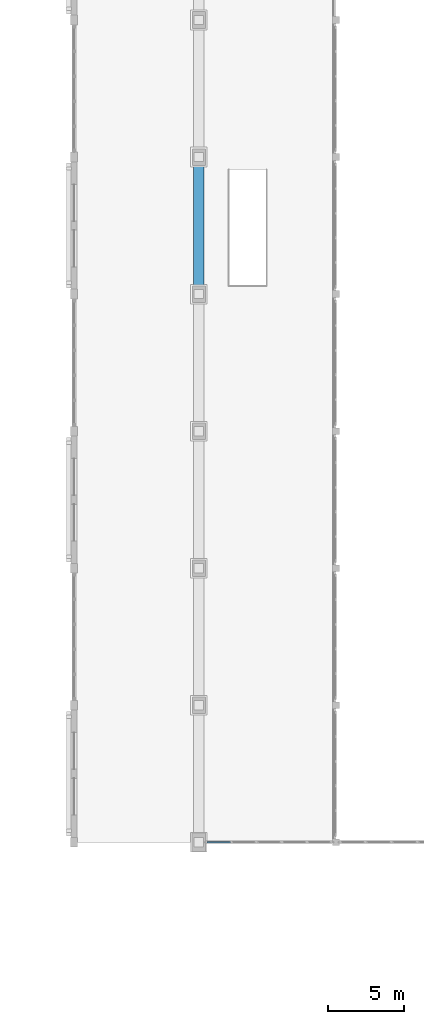
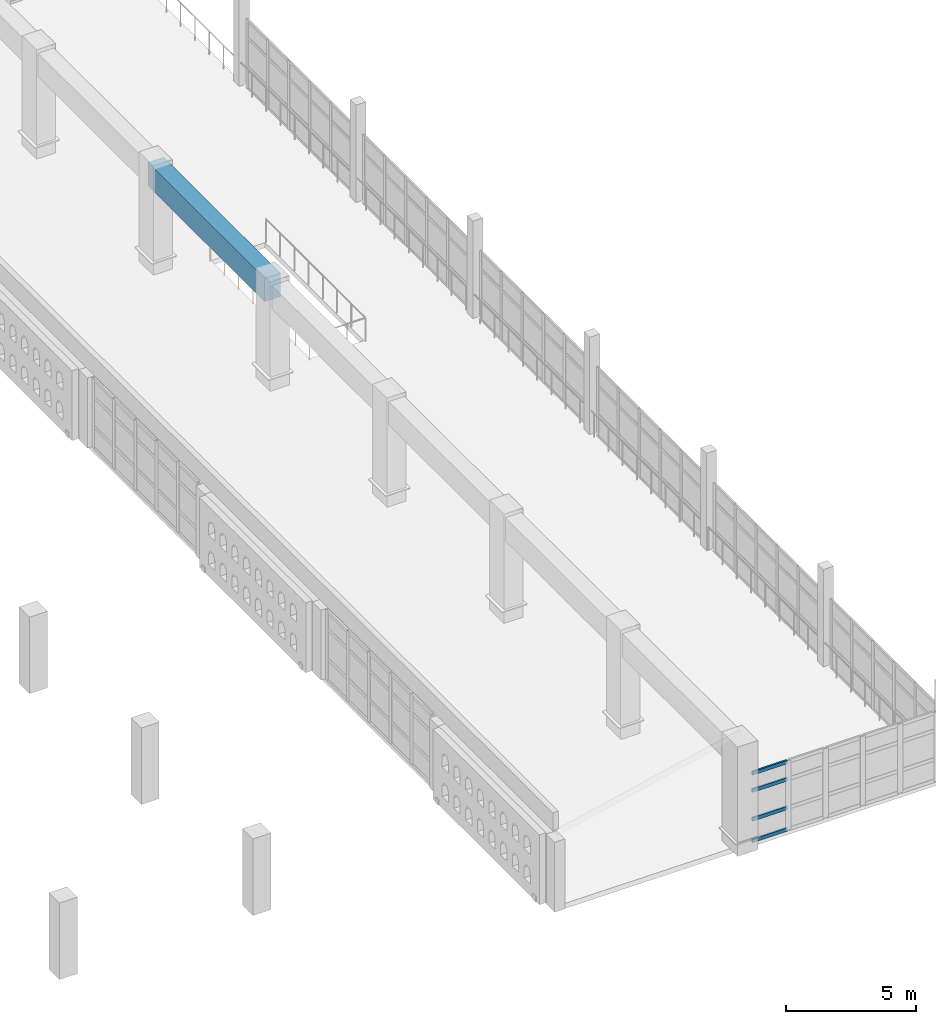
# One storey, part 7 of 80: 4 members, 1 beam, 1 element without a shape of its own.
"""IFC4 building model written with IfcOpenShell, lengths in metres."""

from ifc_helpers import new_model, si_unit, direction, frame, origin, origin_2d, place, context, subcontext, project, spatial, rectangle, hollow_rectangle, extrude, material, layer, layer_set, material_profile, profile_set, type_object, element, aggregate, save


model = new_model("IFC4")

# Units and contexts
model_context = context("Model", 3, precision=1e-05, world=origin(), true_north=direction((0.0, 1.0)))
body_context = subcontext(model_context, "Body", "Model", "MODEL_VIEW")
ifc_project = project(units=[si_unit("LENGTHUNIT", "METRE"), si_unit("AREAUNIT", "SQUARE_METRE"), si_unit("VOLUMEUNIT", "CUBIC_METRE"), si_unit("PLANEANGLEUNIT", "RADIAN"), si_unit("MASSUNIT", "GRAM", prefix="KILO")], contexts=[model_context])

# Site, building, storey
site_placement = place(None, origin())
site = spatial("IfcSite", under=ifc_project, at=site_placement, CompositionType="ELEMENT")
building_placement = place(site_placement, origin())
building = spatial("IfcBuilding", under=site, at=building_placement, Name="Ornek Quay Market", CompositionType="ELEMENT")
storey_placement = place(building_placement, frame((0.0, 0.0, 8.39990234375)))
storey = spatial("IfcBuildingStorey", under=building, at=storey_placement, Name="L02", CompositionType="ELEMENT", Elevation=8.39990234375)

# Beam
ifc_material_1 = material(Name="Concrete C45/55", Category="concrete")
ifc_material_profile_1 = material_profile(ifc_material_1, rectangle(XDim=0.699951171875, YDim=1.10009765625, at=origin_2d()), Name="RC 700x1100", Category="concrete")
ifc_profile_set_1 = profile_set([ifc_material_profile_1], Name="Concrete C45/55")
beam_type = type_object("IfcBeamType", Name="BM-ARCH-TIE-700x1100", PredefinedType="BEAM", material=ifc_profile_set_1)
beam_placement = place(storey_placement, frame((63.0, 65.0, 4.400146484375), z_axis=(0.0, 1.0, 0.0), x_axis=(-1.0, 0.0, 0.0)))
element("IfcBeam", 1, at=beam_placement, inside=storey, type_object=beam_type, Name="Arch springing edge tie beam H-W", PredefinedType="BEAM", context=body_context, shape_type="SweptSolid", body=[
    extrude(rectangle(XDim=0.699951171875, YDim=1.10009765625, at=origin_2d()), origin(), (0.0, 0.0, 1.0), 9.0),
])

# Curtain wall, members
ifc_material_2 = material(Name="Anodised bronze aluminium and triple low-e glass", Category="aluminium")
ifc_layer = layer(ifc_material_2, 0.239990234375, Name="Anodised bronze aluminium and triple low-e glass", Category="aluminium")
ifc_layer_set = layer_set([ifc_layer], Name="Anodised bronze aluminium and triple low-e glass")
curtain_wall_type = type_object("IfcCurtainWallType", Name="CW-GAB-MOD1800", PredefinedType="USERDEFINED", material=ifc_layer_set)
curtain_wall_placement = place(storey_placement, origin())
curtain_wall = element("IfcCurtainWall", 2, at=curtain_wall_placement, inside=storey, type_object=curtain_wall_type, Name="Curtain wall CW-063", ObjectType="CURTAIN WALL", PredefinedType="USERDEFINED")
ifc_material_3 = material(Name="Anodised aluminium 6063-T6", Category="aluminium")
ifc_material_profile_2 = material_profile(ifc_material_3, hollow_rectangle(XDim=0.074951171875, YDim=0.1650390625, WallThickness=0.0048828125, at=origin_2d()), Name="CW-TRN-75x165", Category="aluminium")
ifc_profile_set_2 = profile_set([ifc_material_profile_2], Name="Anodised aluminium 6063-T6")
member_type = type_object("IfcMemberType", Name="CW-TRN-75x165", PredefinedType="USERDEFINED", material=ifc_profile_set_2)
member_1_placement = place(storey_placement, frame((63.5400390625, 29.0, 0.03759765625), z_axis=(1.0, 0.0, 0.0), x_axis=(0.0, 1.0, 0.0)))
member_1 = element("IfcMember", 3, at=member_1_placement, type_object=member_type, Name="CW-063 transom 1.1", ObjectType="TRANSOM", PredefinedType="USERDEFINED", context=body_context, shape_type="SweptSolid", body=[
    extrude(hollow_rectangle(XDim=0.074951171875, YDim=0.1650390625, WallThickness=0.0048828125, at=origin_2d()), origin(), (0.0, 0.0, 1.0), 1.5419921875),
])
member_2_placement = place(storey_placement, frame((63.5400390625, 29.0, 1.050048828125), z_axis=(1.0, 0.0, 0.0), x_axis=(0.0, 1.0, 0.0)))
member_2 = element("IfcMember", 4, at=member_2_placement, type_object=member_type, Name="CW-063 transom 1.2", ObjectType="TRANSOM", PredefinedType="USERDEFINED", context=body_context, shape_type="SweptSolid", body=[
    extrude(hollow_rectangle(XDim=0.074951171875, YDim=0.1650390625, WallThickness=0.0048828125, at=origin_2d()), origin(), (0.0, 0.0, 1.0), 1.5419921875),
])
member_3_placement = place(storey_placement, frame((63.5400390625, 29.0, 2.400146484375), z_axis=(1.0, 0.0, 0.0), x_axis=(0.0, 1.0, 0.0)))
member_3 = element("IfcMember", 5, at=member_3_placement, type_object=member_type, Name="CW-063 transom 1.3", ObjectType="TRANSOM", PredefinedType="USERDEFINED", context=body_context, shape_type="SweptSolid", body=[
    extrude(hollow_rectangle(XDim=0.074951171875, YDim=0.1650390625, WallThickness=0.0048828125, at=origin_2d()), origin(), (0.0, 0.0, 1.0), 1.5419921875),
])
member_4_placement = place(storey_placement, frame((63.5400390625, 29.0, 3.212646484375), z_axis=(1.0, 0.0, 0.0), x_axis=(0.0, 1.0, 0.0)))
member_4 = element("IfcMember", 6, at=member_4_placement, type_object=member_type, Name="CW-063 transom 1.4", ObjectType="TRANSOM", PredefinedType="USERDEFINED", context=body_context, shape_type="SweptSolid", body=[
    extrude(hollow_rectangle(XDim=0.074951171875, YDim=0.1650390625, WallThickness=0.0048828125, at=origin_2d()), origin(), (0.0, 0.0, 1.0), 1.5419921875),
])
aggregate(curtain_wall, [member_1, member_2, member_3, member_4])

save(model, "model.ifc")
